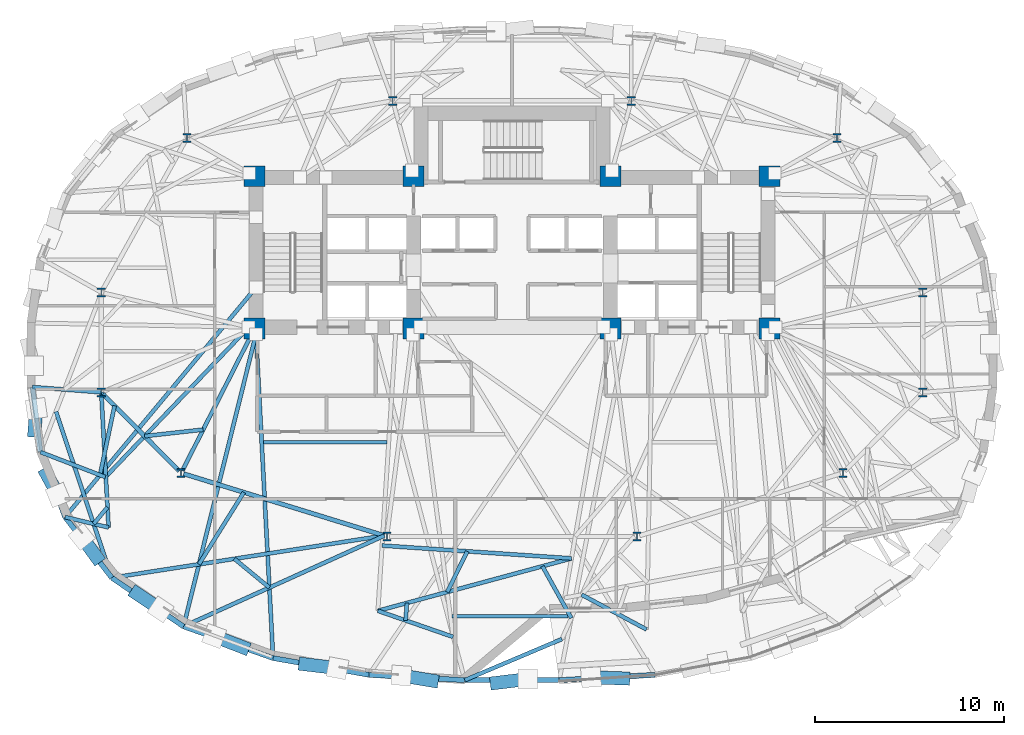
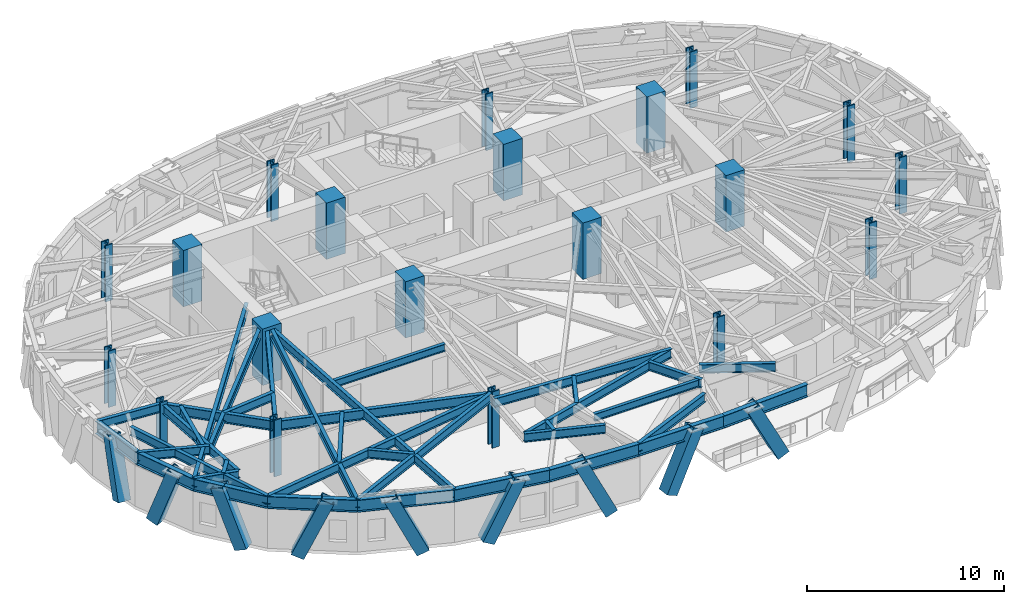
# One storey, part 1 of 14: 38 beams, 20 columns, 9 members.
"""IFC4 building model written with IfcOpenShell, lengths in metres."""

from ifc_helpers import new_model, si_unit, direction, frame, origin, origin_2d, place, context, subcontext, project, spatial, rectangle, hollow_rectangle, i_section, extrude, material, material_profile, profile_set, type_object, element, save


model = new_model("IFC4")

# Units and contexts
model_context = context("Model", 3, precision=1e-05, world=origin(), true_north=direction((0.0, 1.0)))
body_context = subcontext(model_context, "Body", "Model", "MODEL_VIEW")
ifc_project = project(units=[si_unit("LENGTHUNIT", "METRE"), si_unit("AREAUNIT", "SQUARE_METRE"), si_unit("VOLUMEUNIT", "CUBIC_METRE"), si_unit("PLANEANGLEUNIT", "RADIAN"), si_unit("MASSUNIT", "GRAM", prefix="KILO")], contexts=[model_context])

# Site, building, storey
site_placement = place(None, origin())
site = spatial("IfcSite", under=ifc_project, at=site_placement, CompositionType="ELEMENT")
building_placement = place(site_placement, origin())
building = spatial("IfcBuilding", under=site, at=building_placement, Name="Keldmark Tower", CompositionType="ELEMENT")
storey_placement = place(building_placement, frame((0.0, 0.0, 128.10009765625)))
storey = spatial("IfcBuildingStorey", under=building, at=storey_placement, Name="L34", CompositionType="ELEMENT", Elevation=128.10009765625)

# Columns
ifc_material_1 = material(Name="Concrete C70/85", Category="concrete")
ifc_material_profile_1 = material_profile(ifc_material_1, rectangle(XDim=1.10009765625, YDim=1.10009765625, at=origin_2d()), Name="RC1100X1100")
ifc_profile_set_1 = profile_set([ifc_material_profile_1], Name="Concrete C70/85")
column_type_1 = type_object("IfcColumnType", Name="Core Boundary Column RC1100", PredefinedType="COLUMN", material=ifc_profile_set_1)
for number, where, z_axis, x_axis, name in (
    (1, (-13.60009765625, 1.39990234375, 0.0), (0.0, 0.0, 1.0), (1.0, 0.0, 0.0), "L34 Core Boundary Column CC-W1"),
    (2, (-13.60009765625, 9.449951171875, 0.0), (0.0, 0.0, 1.0), (1.0, 0.0, 0.0), "L34 Core Boundary Column CC-W2"),
    (3, (-5.199951171875, 1.39990234375, 0.0), (0.0, 0.0, 1.0), (1.0, 0.0, 0.0), "L34 Core Boundary Column CC-W3"),
    (4, (-5.199951171875, 9.449951171875, 0.0), (0.0, 0.0, 1.0), (1.0, 0.0, 0.0), "L34 Core Boundary Column CC-W4"),
    (5, (5.199951171875, 1.39990234375, 0.0), (0.0, 0.0, 1.0), (1.0, 0.0, 0.0), "L34 Core Boundary Column CC-E1"),
    (6, (5.199951171875, 9.449951171875, 0.0), (0.0, 0.0, 1.0), (1.0, 0.0, 0.0), "L34 Core Boundary Column CC-E2"),
    (7, (13.60009765625, 1.39990234375, 0.0), (0.0, 0.0, 1.0), (1.0, 0.0, 0.0), "L34 Core Boundary Column CC-E3"),
    (8, (13.60009765625, 9.449951171875, 0.0), (0.0, 0.0, 1.0), (1.0, 0.0, 0.0), "L34 Core Boundary Column CC-E4"),
):
    element("IfcColumn", number, at=place(storey_placement, frame(where, z_axis=z_axis, x_axis=x_axis)), inside=storey, type_object=column_type_1, Name=name, PredefinedType="COLUMN", context=body_context, shape_type="SweptSolid", body=[
        extrude(rectangle(XDim=1.10009765625, YDim=1.10009765625, at=origin_2d()), origin(), (0.0, 0.0, 1.0), 3.5),
    ])
ifc_material_2 = material(Name="Steel ASTM A992 Grade 50", Category="steel")
ifc_material_profile_2 = material_profile(ifc_material_2, i_section(OverallWidth=0.424072265625, OverallDepth=0.47412109375, WebThickness=0.047607421875, FlangeThickness=0.0771484375, at=origin_2d()), Name="W14X426")
ifc_profile_set_2 = profile_set([ifc_material_profile_2], Name="Steel ASTM A992 Grade 50")
column_type_2 = type_object("IfcColumnType", Name="Tower Gravity Column W14X426", PredefinedType="COLUMN", material=ifc_profile_set_2)
for number, where, z_axis, x_axis, name in (
    (9, (21.697021484375, 3.309814453125, 0.0), (0.0, 0.0, 1.0), (1.0, 0.0, 0.0), "L34 Tower Gravity Column TC-E1"),
    (10, (17.1669921875, 11.478271484375, 0.0), (0.0, 0.0, 1.0), (1.0, 0.0, 0.0), "L34 Tower Gravity Column TC-E4"),
    (11, (6.298828125, 13.4326171875, 0.0), (0.0, 0.0, 1.0), (1.0, 0.0, 0.0), "L34 Tower Gravity Column TC-N2"),
    (12, (-6.298828125, 13.4326171875, 0.0), (0.0, 0.0, 1.0), (1.0, 0.0, 0.0), "L34 Tower Gravity Column TC-N1"),
    (13, (-17.1669921875, 11.478271484375, 0.0), (0.0, 0.0, 1.0), (1.0, 0.0, 0.0), "L34 Tower Gravity Column TC-W4"),
    (14, (-21.697021484375, 3.309814453125, 0.0), (0.0, 0.0, 1.0), (1.0, 0.0, 0.0), "L34 Tower Gravity Column TC-W1"),
    (15, (-21.697021484375, -1.9658203125, 0.0), (0.0, 0.0, 1.0), (1.0, 0.0, 0.0), "L34 Tower Gravity Column TC-W5"),
    (16, (-17.477294921875, -6.2294921875, 0.0), (0.0, 0.0, 1.0), (1.0, 0.0, 0.0), "L34 Tower Gravity Column TC-W2"),
    (17, (-6.61279296875, -9.579345703125, 0.0), (0.0, 0.0, 1.0), (1.0, 0.0, 0.0), "L34 Tower Gravity Column TC-W3"),
    (18, (6.61279296875, -9.579345703125, 0.0), (0.0, 0.0, 1.0), (1.0, 0.0, 0.0), "L34 Tower Gravity Column TC-E3"),
    (19, (17.477294921875, -6.2294921875, 0.0), (0.0, 0.0, 1.0), (1.0, 0.0, 0.0), "L34 Tower Gravity Column TC-E2"),
    (20, (21.697021484375, -1.9658203125, 0.0), (0.0, 0.0, 1.0), (1.0, 0.0, 0.0), "L34 Tower Gravity Column TC-E5"),
):
    element("IfcColumn", number, at=place(storey_placement, frame(where, z_axis=z_axis, x_axis=x_axis)), inside=storey, type_object=column_type_2, Name=name, PredefinedType="COLUMN", context=body_context, shape_type="SweptSolid", body=[
        extrude(i_section(OverallWidth=0.424072265625, OverallDepth=0.47412109375, WebThickness=0.047607421875, FlangeThickness=0.0771484375, at=origin_2d()), origin(), (0.0, 0.0, 1.0), 3.5),
    ])

# Beams
ifc_material_3 = material(Name="Steel ASTM A992 Grade 50", Category="steel")
ifc_material_profile_3 = material_profile(ifc_material_3, i_section(OverallWidth=0.19091796875, OverallDepth=0.45703125, WebThickness=0.009033203125, FlangeThickness=0.014404296875, at=origin_2d()), Name="W18X50")
ifc_profile_set_3 = profile_set([ifc_material_profile_3], Name="Steel ASTM A992 Grade 50")
beam_type_1 = type_object("IfcBeamType", Name="Composite Floor Joist W18X50", PredefinedType="JOIST", material=ifc_profile_set_3)
beam_1_placement = place(storey_placement, frame((-3.15869140625, -13.800048828125, 3.081298828125), z_axis=(1.0, 0.0, 0.0), x_axis=(0.0, 1.0, 0.0)))
element("IfcBeam", 21, at=beam_1_placement, inside=storey, type_object=beam_type_1, Name="L34 Composite Floor Joist J01", PredefinedType="JOIST", context=body_context, shape_type="SweptSolid", body=[
    extrude(i_section(OverallWidth=0.19091796875, OverallDepth=0.45703125, WebThickness=0.009033203125, FlangeThickness=0.014404296875, at=origin_2d()), origin(), (0.0, 0.0, 1.0), 6.128662109375),
])
beam_2_placement = place(storey_placement, frame((-13.127197265625, -4.60009765625, 3.081298828125), z_axis=(1.0, 0.0, 0.0), x_axis=(0.0, 1.0, 0.0)))
element("IfcBeam", 22, at=beam_2_placement, inside=storey, type_object=beam_type_1, Name="L34 Composite Floor Joist J04", PredefinedType="JOIST", context=body_context, shape_type="SweptSolid", body=[
    extrude(i_section(OverallWidth=0.19091796875, OverallDepth=0.45703125, WebThickness=0.009033203125, FlangeThickness=0.014404296875, at=origin_2d()), origin(), (0.0, 0.0, 1.0), 6.51904296875),
])

# Members
ifc_material_4 = material(Name="Steel ASTM A572 Grade 50", Category="steel")
ifc_material_profile_4 = material_profile(ifc_material_4, hollow_rectangle(XDim=0.699951171875, YDim=0.699951171875, WallThickness=0.044921875, at=origin_2d()), Name="BOX700X700X45")
ifc_profile_set_4 = profile_set([ifc_material_profile_4], Name="Steel ASTM A572 Grade 50")
member_type = type_object("IfcMemberType", Name="Diagrid Zone 2 Brace BOX700X700X45", PredefinedType="BRACE", material=ifc_profile_set_4)
member_1_placement = place(storey_placement, frame((-25.22314453125, -4.007568359375, -0.27001953125), z_axis=(0.025774881276, 0.322186015947, 0.946325433782), x_axis=(-0.996815278536, 0.079745222283, 0.0)))
element("IfcMember", 23, at=member_1_placement, inside=storey, type_object=member_type, Name="L34 Perimeter Diagrid Brace 09A", PredefinedType="BRACE", context=body_context, shape_type="SweptSolid", body=[
    extrude(hollow_rectangle(XDim=0.699951171875, YDim=0.699951171875, WallThickness=0.044921875, at=origin_2d()), origin(), (0.0, 0.0, 1.0), 3.65625),
])
member_2_placement = place(storey_placement, frame((-24.581298828125, -6.2880859375, -0.27001953125), z_axis=(0.161957146853, -0.300569119384, 0.939908552496), x_axis=(0.880333841681, 0.474354642848, 0.0)))
element("IfcMember", 24, at=member_2_placement, inside=storey, type_object=member_type, Name="L34 Perimeter Diagrid Brace 09B", PredefinedType="BRACE", context=body_context, shape_type="SweptSolid", body=[
    extrude(hollow_rectangle(XDim=0.699951171875, YDim=0.699951171875, WallThickness=0.044921875, at=origin_2d()), origin(), (0.0, 0.0, 1.0), 3.68115234375),
])
member_3_placement = place(storey_placement, frame((-21.943359375, -10.6787109375, -0.27001953125), z_axis=(-0.212939819898, 0.291509085954, 0.932565861432), x_axis=(-0.80750465938, -0.589861191366, 0.0)))
element("IfcMember", 25, at=member_3_placement, inside=storey, type_object=member_type, Name="L34 Perimeter Diagrid Brace 10A", PredefinedType="BRACE", context=body_context, shape_type="SweptSolid", body=[
    extrude(hollow_rectangle(XDim=0.699951171875, YDim=0.699951171875, WallThickness=0.044921875, at=origin_2d()), origin(), (0.0, 0.0, 1.0), 3.710205078125),
])
member_4_placement = place(storey_placement, frame((-19.8369140625, -12.5859375, -0.27001953125), z_axis=(0.335578451771, -0.225676508816, 0.91458034971), x_axis=(0.55804685071, 0.829809443434, 0.0)))
element("IfcMember", 26, at=member_4_placement, inside=storey, type_object=member_type, Name="L34 Perimeter Diagrid Brace 10B", PredefinedType="BRACE", context=body_context, shape_type="SweptSolid", body=[
    extrude(hollow_rectangle(XDim=0.699951171875, YDim=0.699951171875, WallThickness=0.044921875, at=origin_2d()), origin(), (0.0, 0.0, 1.0), 3.783203125),
])
member_5_placement = place(storey_placement, frame((-14.190185546875, -15.443115234375, -0.27001953125), z_axis=(-0.402741306948, 0.15573767037, 0.901967414991), x_axis=(-0.360667417786, -0.93269449111, 0.0)))
element("IfcMember", 27, at=member_5_placement, inside=storey, type_object=member_type, Name="L34 Perimeter Diagrid Brace 11A", PredefinedType="BRACE", context=body_context, shape_type="SweptSolid", body=[
    extrude(hollow_rectangle(XDim=0.699951171875, YDim=0.699951171875, WallThickness=0.044921875, at=origin_2d()), origin(), (0.0, 0.0, 1.0), 3.8359375),
])
member_6_placement = place(storey_placement, frame((-10.9541015625, -16.332275390625, -0.27001953125), z_axis=(0.448318018377, -0.054206124677, 0.892229034747), x_axis=(0.120035753301, 0.992769569401, 0.0)))
element("IfcMember", 28, at=member_6_placement, inside=storey, type_object=member_type, Name="L34 Perimeter Diagrid Brace 11B", PredefinedType="BRACE", context=body_context, shape_type="SweptSolid", body=[
    extrude(hollow_rectangle(XDim=0.699951171875, YDim=0.699951171875, WallThickness=0.044921875, at=origin_2d()), origin(), (0.0, 0.0, 1.0), 3.8779296875),
])
member_7_placement = place(storey_placement, frame((-4.204345703125, -17.201171875, -0.27001953125), z_axis=(-0.428752099282, 0.07149045675, 0.900589113833), x_axis=(-0.164470109087, -0.986382067567, 0.0)))
element("IfcMember", 29, at=member_7_placement, inside=storey, type_object=member_type, Name="L34 Perimeter Diagrid Brace 12A", PredefinedType="BRACE", context=body_context, shape_type="SweptSolid", body=[
    extrude(hollow_rectangle(XDim=0.699951171875, YDim=0.699951171875, WallThickness=0.044921875, at=origin_2d()), origin(), (0.0, 0.0, 1.0), 3.841796875),
])
member_8_placement = place(storey_placement, frame((-0.83544921875, -17.3154296875, -0.27001953125), z_axis=(0.434682488412, 0.05246386718, 0.899054323669), x_axis=(-0.11982508471, 0.992795018659, 0.0)))
element("IfcMember", 30, at=member_8_placement, inside=storey, type_object=member_type, Name="L34 Perimeter Diagrid Brace 12B", PredefinedType="BRACE", context=body_context, shape_type="SweptSolid", body=[
    extrude(hollow_rectangle(XDim=0.699951171875, YDim=0.699951171875, WallThickness=0.044921875, at=origin_2d()), origin(), (0.0, 0.0, 1.0), 3.848388671875),
])
member_9_placement = place(storey_placement, frame((5.91357421875, -17.082275390625, -0.27001953125), z_axis=(-0.448766776321, 0.016392155359, 0.893498560554), x_axis=(-0.036502770928, -0.999333551781, 0.0)))
element("IfcMember", 31, at=member_9_placement, inside=storey, type_object=member_type, Name="L34 Perimeter Diagrid Brace 13A", PredefinedType="BRACE", context=body_context, shape_type="SweptSolid", body=[
    extrude(hollow_rectangle(XDim=0.699951171875, YDim=0.699951171875, WallThickness=0.044921875, at=origin_2d()), origin(), (0.0, 0.0, 1.0), 3.872314453125),
])

# Beams
ifc_material_5 = material(Name="Steel ASTM A992 Grade 50", Category="steel")
ifc_material_profile_5 = material_profile(ifc_material_5, i_section(OverallWidth=0.22900390625, OverallDepth=0.612060546875, WebThickness=0.011962890625, FlangeThickness=0.01953125, at=origin_2d()), Name="W24X84")
ifc_profile_set_5 = profile_set([ifc_material_profile_5], Name="Steel ASTM A992 Grade 50")
beam_type_2 = type_object("IfcBeamType", Name="Primary Floor Girder W24X84", PredefinedType="BEAM", material=ifc_profile_set_5)
beam_3_placement = place(storey_placement, frame((-21.598388671875, -2.0654296875, 3.00390625), z_axis=(0.703425791323, -0.71076870788, 0.0), x_axis=(0.71076870788, 0.703425791323, 0.0)))
element("IfcBeam", 32, at=beam_3_placement, inside=storey, type_object=beam_type_2, Name="L34 Floor Ring Girder FG-R07", PredefinedType="BEAM", context=body_context, shape_type="SweptSolid", body=[
    extrude(i_section(OverallWidth=0.22900390625, OverallDepth=0.612060546875, WebThickness=0.011962890625, FlangeThickness=0.01953125, at=origin_2d()), origin(), (0.0, 0.0, 1.0), 5.71875),
])
beam_4_placement = place(storey_placement, frame((-17.343505859375, -6.270751953125, 3.00390625), z_axis=(0.955607954968, -0.294641199432, 0.0), x_axis=(0.294641199432, 0.955607954968, 0.0)))
element("IfcBeam", 33, at=beam_4_placement, inside=storey, type_object=beam_type_2, Name="L34 Floor Ring Girder FG-R08", PredefinedType="BEAM", context=body_context, shape_type="SweptSolid", body=[
    extrude(i_section(OverallWidth=0.22900390625, OverallDepth=0.612060546875, WebThickness=0.011962890625, FlangeThickness=0.01953125, at=origin_2d()), origin(), (0.0, 0.0, 1.0), 11.089111328125),
])
ifc_material_6 = material(Name="Steel ASTM A992 Grade 50", Category="steel")
ifc_material_profile_6 = material_profile(ifc_material_6, i_section(OverallWidth=0.2099609375, OverallDepth=0.537109375, WebThickness=0.010986328125, FlangeThickness=0.017333984375, at=origin_2d()), Name="W21X68")
ifc_profile_set_6 = profile_set([ifc_material_profile_6], Name="Steel ASTM A992 Grade 50")
beam_type_3 = type_object("IfcBeamType", Name="Radial Tie Girder W21X68", PredefinedType="BEAM", material=ifc_profile_set_6)
beam_5_placement = place(storey_placement, frame((-17.413818359375, -6.104736328125, 3.04150390625), z_axis=(0.453028637759, 0.891495963743, 0.0), x_axis=(-0.891495963743, 0.453028637759, 0.0)))
element("IfcBeam", 34, at=beam_5_placement, inside=storey, type_object=beam_type_3, Name="L34 Floor Radial Girder FG-C08", PredefinedType="BEAM", context=body_context, shape_type="SweptSolid", body=[
    extrude(i_section(OverallWidth=0.2099609375, OverallDepth=0.537109375, WebThickness=0.010986328125, FlangeThickness=0.017333984375, at=origin_2d()), origin(), (0.0, 0.0, 1.0), 8.09814453125),
])
beam_6_placement = place(storey_placement, frame((-21.697021484375, -1.9658203125, 3.04150390625), z_axis=(-0.99715652096, 0.07535829554, 0.0), x_axis=(-0.07535829554, -0.99715652096, 0.0)))
element("IfcBeam", 35, at=beam_6_placement, inside=storey, type_object=beam_type_3, Name="L34 Perimeter Column Bracket RT-17", PredefinedType="BEAM", context=body_context, shape_type="SweptSolid", body=[
    extrude(i_section(OverallWidth=0.2099609375, OverallDepth=0.537109375, WebThickness=0.010986328125, FlangeThickness=0.017333984375, at=origin_2d()), origin(), (0.0, 0.0, 1.0), 3.641357421875),
])
beam_7_placement = place(storey_placement, frame((-16.313232421875, -3.93896484375, 3.04150390625), z_axis=(-0.993939110068, -0.109932003884, 0.0), x_axis=(0.109932003884, -0.993939110068, 0.0)))
element("IfcBeam", 36, at=beam_7_placement, inside=storey, type_object=beam_type_3, Name="L34 Framing Pin Header PH-022", PredefinedType="BEAM", context=body_context, shape_type="SweptSolid", body=[
    extrude(i_section(OverallWidth=0.2099609375, OverallDepth=0.537109375, WebThickness=0.010986328125, FlangeThickness=0.017333984375, at=origin_2d()), origin(), (0.0, 0.0, 1.0), 3.111328125),
])
beam_8_placement = place(storey_placement, frame((-13.89990234375, 1.47509765625, 3.04150390625), z_axis=(-0.691233768742, -0.722631217808, 0.0), x_axis=(0.722631217808, -0.691233768742, 0.0)))
element("IfcBeam", 37, at=beam_8_placement, inside=storey, type_object=beam_type_3, Name="L34 Intermediate Radial Step Girder RT-19M", PredefinedType="BEAM", context=body_context, shape_type="SweptSolid", body=[
    extrude(i_section(OverallWidth=0.2099609375, OverallDepth=0.537109375, WebThickness=0.010986328125, FlangeThickness=0.017333984375, at=origin_2d()), origin(), (0.0, 0.0, 1.0), 10.9638671875),
])
beam_9_placement = place(storey_placement, frame((-24.9091796875, -5.123291015625, 3.04150390625), z_axis=(0.932891434938, -0.360157702429, 0.0), x_axis=(0.360157702429, 0.932891434938, 0.0)))
element("IfcBeam", 38, at=beam_9_placement, inside=storey, type_object=beam_type_3, Name="L34 Local Collector Chord RT-19C", PredefinedType="BEAM", context=body_context, shape_type="SweptSolid", body=[
    extrude(i_section(OverallWidth=0.2099609375, OverallDepth=0.537109375, WebThickness=0.010986328125, FlangeThickness=0.017333984375, at=origin_2d()), origin(), (0.0, 0.0, 1.0), 3.677490234375),
])
beam_10_placement = place(storey_placement, frame((-20.9951171875, -2.675048828125, 3.04150390625), z_axis=(-0.205504112657, -0.978656252052, 0.0), x_axis=(0.978656252052, -0.205504112657, 0.0)))
element("IfcBeam", 39, at=beam_10_placement, inside=storey, type_object=beam_type_3, Name="L34 Framing Pin Header PH-023", PredefinedType="BEAM", context=body_context, shape_type="SweptSolid", body=[
    extrude(i_section(OverallWidth=0.2099609375, OverallDepth=0.537109375, WebThickness=0.010986328125, FlangeThickness=0.017333984375, at=origin_2d()), origin(), (0.0, 0.0, 1.0), 3.7421875),
])
beam_11_placement = place(storey_placement, frame((-13.52490234375, 3.5712890625, 3.04150390625), z_axis=(-0.639352715882, -0.768913587273, 0.0), x_axis=(0.768913587273, -0.639352715882, 0.0)))
element("IfcBeam", 40, at=beam_11_placement, inside=storey, type_object=beam_type_3, Name="L34 Perimeter Radial Tie Girder RT-19", PredefinedType="BEAM", context=body_context, shape_type="SweptSolid", body=[
    extrude(i_section(OverallWidth=0.2099609375, OverallDepth=0.537109375, WebThickness=0.010986328125, FlangeThickness=0.017333984375, at=origin_2d()), origin(), (0.0, 0.0, 1.0), 15.772216796875),
])
beam_12_placement = place(storey_placement, frame((-21.697021484375, -1.9658203125, 3.04150390625), z_axis=(0.054150072975, -0.998532808473, 0.0), x_axis=(0.998532808473, 0.054150072975, 0.0)))
element("IfcBeam", 41, at=beam_12_placement, inside=storey, type_object=beam_type_3, Name="L34 Intermediate Radial Step Girder RT-20M", PredefinedType="BEAM", context=body_context, shape_type="SweptSolid", body=[
    extrude(i_section(OverallWidth=0.2099609375, OverallDepth=0.537109375, WebThickness=0.010986328125, FlangeThickness=0.017333984375, at=origin_2d()), origin(), (0.0, 0.0, 1.0), 7.150634765625),
])
beam_13_placement = place(storey_placement, frame((-23.60888671875, -8.55615234375, 3.04150390625), z_axis=(0.972576352333, -0.232583831948, 0.0), x_axis=(0.232583831948, 0.972576352333, 0.0)))
element("IfcBeam", 42, at=beam_13_placement, inside=storey, type_object=beam_type_3, Name="L34 Local Collector Chord RT-20C", PredefinedType="BEAM", context=body_context, shape_type="SweptSolid", body=[
    extrude(i_section(OverallWidth=0.2099609375, OverallDepth=0.537109375, WebThickness=0.010986328125, FlangeThickness=0.017333984375, at=origin_2d()), origin(), (0.0, 0.0, 1.0), 2.364013671875),
])
beam_14_placement = place(storey_placement, frame((-21.367919921875, -8.034912109375, 3.04150390625), z_axis=(-0.636738157094, -0.771080099147, 0.0), x_axis=(0.771080099147, -0.636738157094, 0.0)))
element("IfcBeam", 43, at=beam_14_placement, inside=storey, type_object=beam_type_3, Name="L34 Framing Pin Header PH-024", PredefinedType="BEAM", context=body_context, shape_type="SweptSolid", body=[
    extrude(i_section(OverallWidth=0.2099609375, OverallDepth=0.537109375, WebThickness=0.010986328125, FlangeThickness=0.017333984375, at=origin_2d()), origin(), (0.0, 0.0, 1.0), 1.14501953125),
])
beam_15_placement = place(storey_placement, frame((-24.089111328125, -2.984375, 3.04150390625), z_axis=(0.318291138438, -0.947993012206, 0.0), x_axis=(0.947993012206, 0.318291138438, 0.0)))
element("IfcBeam", 44, at=beam_15_placement, inside=storey, type_object=beam_type_3, Name="L34 Perimeter Radial Tie Girder RT-20", PredefinedType="BEAM", context=body_context, shape_type="SweptSolid", body=[
    extrude(i_section(OverallWidth=0.2099609375, OverallDepth=0.537109375, WebThickness=0.010986328125, FlangeThickness=0.017333984375, at=origin_2d()), origin(), (0.0, 0.0, 1.0), 9.26123046875),
])
beam_16_placement = place(storey_placement, frame((3.1416015625, -10.739990234375, 3.04150390625), z_axis=(-0.997713376705, 0.067587113735, 0.0), x_axis=(-0.067587113735, -0.997713376705, 0.0)))
element("IfcBeam", 45, at=beam_16_placement, inside=storey, type_object=beam_type_3, Name="L34 Framing Pin Header PH-025", PredefinedType="BEAM", context=body_context, shape_type="SweptSolid", body=[
    extrude(i_section(OverallWidth=0.2099609375, OverallDepth=0.537109375, WebThickness=0.010986328125, FlangeThickness=0.017333984375, at=origin_2d()), origin(), (0.0, 0.0, 1.0), 10.027587890625),
])
beam_17_placement = place(storey_placement, frame((3.1416015625, -10.739990234375, 3.04150390625), z_axis=(-0.965232913101, -0.261391322478, 0.0), x_axis=(0.261391322478, -0.965232913101, 0.0)))
element("IfcBeam", 46, at=beam_17_placement, inside=storey, type_object=beam_type_3, Name="L34 Local Collector Chord RT-23C", PredefinedType="BEAM", context=body_context, shape_type="SweptSolid", body=[
    extrude(i_section(OverallWidth=0.2099609375, OverallDepth=0.537109375, WebThickness=0.010986328125, FlangeThickness=0.017333984375, at=origin_2d()), origin(), (0.0, 0.0, 1.0), 10.594482421875),
])
beam_18_placement = place(storey_placement, frame((-2.36083984375, -10.3671875, 3.04150390625), z_axis=(-0.442810622602, -0.896615164109, 0.0), x_axis=(0.896615164109, -0.442810622602, 0.0)))
element("IfcBeam", 47, at=beam_18_placement, inside=storey, type_object=beam_type_3, Name="L34 Framing Pin Header PH-026", PredefinedType="BEAM", context=body_context, shape_type="SweptSolid", body=[
    extrude(i_section(OverallWidth=0.2099609375, OverallDepth=0.537109375, WebThickness=0.010986328125, FlangeThickness=0.017333984375, at=origin_2d()), origin(), (0.0, 0.0, 1.0), 2.3984375),
])
beam_19_placement = place(storey_placement, frame((-7.08447265625, -13.50927734375, 3.04150390625), z_axis=(0.944719899268, -0.327878501775, 0.0), x_axis=(0.327878501775, 0.944719899268, 0.0)))
element("IfcBeam", 48, at=beam_19_placement, inside=storey, type_object=beam_type_3, Name="L34 Local Collector Chord RT-24C", PredefinedType="BEAM", context=body_context, shape_type="SweptSolid", body=[
    extrude(i_section(OverallWidth=0.2099609375, OverallDepth=0.537109375, WebThickness=0.010986328125, FlangeThickness=0.017333984375, at=origin_2d()), origin(), (0.0, 0.0, 1.0), 4.203369140625),
])
beam_20_placement = place(storey_placement, frame((-2.49462890625, -17.173095703125, 3.04150390625), z_axis=(0.92090797719, 0.389780063045, 0.0), x_axis=(-0.389780063045, 0.92090797719, 0.0)))
element("IfcBeam", 49, at=beam_20_placement, inside=storey, type_object=beam_type_3, Name="L34 Local Collector Chord RT-25C", PredefinedType="BEAM", context=body_context, shape_type="SweptSolid", body=[
    extrude(i_section(OverallWidth=0.2099609375, OverallDepth=0.537109375, WebThickness=0.010986328125, FlangeThickness=0.017333984375, at=origin_2d()), origin(), (0.0, 0.0, 1.0), 5.572021484375),
])
beam_21_placement = place(storey_placement, frame((1.60791015625, -11.1552734375, 3.04150390625), z_axis=(0.486502566016, -0.873679147777, 0.0), x_axis=(0.873679147777, 0.486502566016, 0.0)))
element("IfcBeam", 50, at=beam_21_placement, inside=storey, type_object=beam_type_3, Name="L34 Framing Pin Header PH-028", PredefinedType="BEAM", context=body_context, shape_type="SweptSolid", body=[
    extrude(i_section(OverallWidth=0.2099609375, OverallDepth=0.537109375, WebThickness=0.010986328125, FlangeThickness=0.017333984375, at=origin_2d()), origin(), (0.0, 0.0, 1.0), 3.134033203125),
])
beam_22_placement = place(storey_placement, frame((3.6845703125, -12.659912109375, 3.04150390625), z_axis=(0.881266884833, -0.472618956134, 0.0), x_axis=(0.472618956134, 0.881266884833, 0.0)))
element("IfcBeam", 51, at=beam_22_placement, inside=storey, type_object=beam_type_3, Name="L34 Local Collector Chord RT-26C", PredefinedType="BEAM", context=body_context, shape_type="SweptSolid", body=[
    extrude(i_section(OverallWidth=0.2099609375, OverallDepth=0.537109375, WebThickness=0.010986328125, FlangeThickness=0.017333984375, at=origin_2d()), origin(), (0.0, 0.0, 1.0), 3.885009765625),
])
beam_23_placement = place(storey_placement, frame((-21.141357421875, -11.763916015625, 3.04150390625), z_axis=(0.988255341028, 0.152811586373, 0.0), x_axis=(-0.152811586373, 0.988255341028, 0.0)))
element("IfcBeam", 52, at=beam_23_placement, inside=storey, type_object=beam_type_3, Name="L34 Straddling Support Chord RT-21RB", PredefinedType="BEAM", context=body_context, shape_type="SweptSolid", body=[
    extrude(i_section(OverallWidth=0.2099609375, OverallDepth=0.537109375, WebThickness=0.010986328125, FlangeThickness=0.017333984375, at=origin_2d()), origin(), (0.0, 0.0, 1.0), 14.56591796875),
])
beam_24_placement = place(storey_placement, frame((-14.164306640625, -7.2509765625, 3.04150390625), z_axis=(-0.529464969901, -0.848331801625, 0.0), x_axis=(0.848331801625, -0.529464969901, 0.0)))
element("IfcBeam", 53, at=beam_24_placement, inside=storey, type_object=beam_type_3, Name="L34 Framing Pin Header PH-037", PredefinedType="BEAM", context=body_context, shape_type="SweptSolid", body=[
    extrude(i_section(OverallWidth=0.2099609375, OverallDepth=0.537109375, WebThickness=0.010986328125, FlangeThickness=0.017333984375, at=origin_2d()), origin(), (0.0, 0.0, 1.0), 4.48046875),
])
beam_25_placement = place(storey_placement, frame((-13.52490234375, 1.10009765625, 3.04150390625), z_axis=(-0.240555447971, -0.97063539831, 0.0), x_axis=(0.97063539831, -0.240555447971, 0.0)))
element("IfcBeam", 54, at=beam_25_placement, inside=storey, type_object=beam_type_3, Name="L34 Perimeter Radial Tie Girder RT-21R", PredefinedType="BEAM", context=body_context, shape_type="SweptSolid", body=[
    extrude(i_section(OverallWidth=0.2099609375, OverallDepth=0.537109375, WebThickness=0.010986328125, FlangeThickness=0.017333984375, at=origin_2d()), origin(), (0.0, 0.0, 1.0), 15.901611328125),
])
beam_26_placement = place(storey_placement, frame((-17.35009765625, -14.33447265625, 3.04150390625), z_axis=(0.91112217755, 0.412136357988, 0.0), x_axis=(-0.412136357988, 0.91112217755, 0.0)))
element("IfcBeam", 55, at=beam_26_placement, inside=storey, type_object=beam_type_3, Name="L34 Straddling Support Chord RT-22RB", PredefinedType="BEAM", context=body_context, shape_type="SweptSolid", body=[
    extrude(i_section(OverallWidth=0.2099609375, OverallDepth=0.537109375, WebThickness=0.010986328125, FlangeThickness=0.017333984375, at=origin_2d()), origin(), (0.0, 0.0, 1.0), 11.637939453125),
])
beam_27_placement = place(storey_placement, frame((-14.663818359375, -10.76220703125, 3.04150390625), z_axis=(0.771912567541, -0.635728706346, 0.0), x_axis=(0.635728706346, 0.771912567541, 0.0)))
element("IfcBeam", 56, at=beam_27_placement, inside=storey, type_object=beam_type_3, Name="L34 Framing Pin Header PH-038", PredefinedType="BEAM", context=body_context, shape_type="SweptSolid", body=[
    extrude(i_section(OverallWidth=0.2099609375, OverallDepth=0.537109375, WebThickness=0.010986328125, FlangeThickness=0.017333984375, at=origin_2d()), origin(), (0.0, 0.0, 1.0), 2.393310546875),
])
beam_28_placement = place(storey_placement, frame((-13.52490234375, 1.10009765625, 3.04150390625), z_axis=(0.052870735697, -0.998601364563, 0.0), x_axis=(0.998601364563, 0.052870735697, 0.0)))
element("IfcBeam", 57, at=beam_28_placement, inside=storey, type_object=beam_type_3, Name="L34 Perimeter Radial Tie Girder RT-22R", PredefinedType="BEAM", context=body_context, shape_type="SweptSolid", body=[
    extrude(i_section(OverallWidth=0.2099609375, OverallDepth=0.537109375, WebThickness=0.010986328125, FlangeThickness=0.017333984375, at=origin_2d()), origin(), (0.0, 0.0, 1.0), 17.131591796875),
])
beam_29_placement = place(storey_placement, frame((-5.550537109375, -13.09375, 3.04150390625), z_axis=(-0.075104404757, -0.997175675789, 0.0), x_axis=(0.997175675789, -0.075104404757, 0.0)))
element("IfcBeam", 58, at=beam_29_placement, inside=storey, type_object=beam_type_3, Name="L34 Framing Pin Header PH-039", PredefinedType="BEAM", context=body_context, shape_type="SweptSolid", body=[
    extrude(i_section(OverallWidth=0.2099609375, OverallDepth=0.537109375, WebThickness=0.010986328125, FlangeThickness=0.017333984375, at=origin_2d()), origin(), (0.0, 0.0, 1.0), 0.926513671875),
])
ifc_material_7 = material(Name="Steel ASTM A992 Grade 50", Category="steel")
ifc_material_profile_7 = material_profile(ifc_material_7, i_section(OverallWidth=0.26806640625, OverallDepth=0.77001953125, WebThickness=0.015625, FlangeThickness=0.025390625, at=origin_2d()), Name="W30X132")
ifc_profile_set_7 = profile_set([ifc_material_profile_7], Name="Steel ASTM A992 Grade 50")
beam_type_4 = type_object("IfcBeamType", Name="Spandrel Ring Beam W30X132", PredefinedType="SPANDREL", material=ifc_profile_set_7)
beam_30_placement = place(storey_placement, frame((-25.328125, -1.69140625, 2.9248046875), z_axis=(0.121174866484, -0.992631176083, 0.0), x_axis=(0.992631176083, 0.121174866484, 0.0)))
element("IfcBeam", 59, at=beam_30_placement, inside=storey, type_object=beam_type_4, Name="L34 Perimeter Spandrel Ring Beam SRB-17", PredefinedType="SPANDREL", context=body_context, shape_type="SweptSolid", body=[
    extrude(i_section(OverallWidth=0.26806640625, OverallDepth=0.77001953125, WebThickness=0.015625, FlangeThickness=0.025390625, at=origin_2d()), origin(), (0.0, 0.0, 1.0), 3.457275390625),
])
beam_31_placement = place(storey_placement, frame((-24.9091796875, -5.123291015625, 2.9248046875), z_axis=(0.354219131363, -0.935162449511, 0.0), x_axis=(0.935162449511, 0.354219131363, 0.0)))
element("IfcBeam", 60, at=beam_31_placement, inside=storey, type_object=beam_type_4, Name="L34 Perimeter Spandrel Ring Beam SRB-18", PredefinedType="SPANDREL", context=body_context, shape_type="SweptSolid", body=[
    extrude(i_section(OverallWidth=0.26806640625, OverallDepth=0.77001953125, WebThickness=0.015625, FlangeThickness=0.025390625, at=origin_2d()), origin(), (0.0, 0.0, 1.0), 3.6708984375),
])
beam_32_placement = place(storey_placement, frame((-23.60888671875, -8.55615234375, 2.9248046875), z_axis=(0.609713676223, -0.792621746501, 0.0), x_axis=(0.792621746501, 0.609713676223, 0.0)))
element("IfcBeam", 61, at=beam_32_placement, inside=storey, type_object=beam_type_4, Name="L34 Perimeter Spandrel Ring Beam SRB-19", PredefinedType="SPANDREL", context=body_context, shape_type="SweptSolid", body=[
    extrude(i_section(OverallWidth=0.26806640625, OverallDepth=0.77001953125, WebThickness=0.015625, FlangeThickness=0.025390625, at=origin_2d()), origin(), (0.0, 0.0, 1.0), 4.047119140625),
])
beam_33_placement = place(storey_placement, frame((-21.141357421875, -11.763916015625, 2.9248046875), z_axis=(0.827687098101, -0.561189867725, 0.0), x_axis=(0.561189867725, 0.827687098101, 0.0)))
element("IfcBeam", 62, at=beam_33_placement, inside=storey, type_object=beam_type_4, Name="L34 Perimeter Spandrel Ring Beam SRB-20", PredefinedType="SPANDREL", context=body_context, shape_type="SweptSolid", body=[
    extrude(i_section(OverallWidth=0.26806640625, OverallDepth=0.77001953125, WebThickness=0.015625, FlangeThickness=0.025390625, at=origin_2d()), origin(), (0.0, 0.0, 1.0), 4.58056640625),
])
beam_34_placement = place(storey_placement, frame((-17.35009765625, -14.33447265625, 2.9248046875), z_axis=(0.942780868171, -0.333413009061, 0.0), x_axis=(0.333413009061, 0.942780868171, 0.0)))
element("IfcBeam", 63, at=beam_34_placement, inside=storey, type_object=beam_type_4, Name="L34 Perimeter Spandrel Ring Beam SRB-21", PredefinedType="SPANDREL", context=body_context, shape_type="SweptSolid", body=[
    extrude(i_section(OverallWidth=0.26806640625, OverallDepth=0.77001953125, WebThickness=0.015625, FlangeThickness=0.025390625, at=origin_2d()), origin(), (0.0, 0.0, 1.0), 5.01806640625),
])
beam_35_placement = place(storey_placement, frame((-12.619140625, -16.007568359375, 2.9248046875), z_axis=(0.985176518658, -0.171543659411, 0.0), x_axis=(0.171543659411, 0.985176518658, 0.0)))
element("IfcBeam", 64, at=beam_35_placement, inside=storey, type_object=beam_type_4, Name="L34 Perimeter Spandrel Ring Beam SRB-22", PredefinedType="SPANDREL", context=body_context, shape_type="SweptSolid", body=[
    extrude(i_section(OverallWidth=0.26806640625, OverallDepth=0.77001953125, WebThickness=0.015625, FlangeThickness=0.025390625, at=origin_2d()), origin(), (0.0, 0.0, 1.0), 5.13916015625),
])
beam_36_placement = place(storey_placement, frame((-7.55615234375, -16.88916015625, 2.9248046875), z_axis=(0.998430275228, -0.05600879848, 0.0), x_axis=(0.05600879848, 0.998430275228, 0.0)))
element("IfcBeam", 65, at=beam_36_placement, inside=storey, type_object=beam_type_4, Name="L34 Perimeter Spandrel Ring Beam SRB-23", PredefinedType="SPANDREL", context=body_context, shape_type="SweptSolid", body=[
    extrude(i_section(OverallWidth=0.26806640625, OverallDepth=0.77001953125, WebThickness=0.015625, FlangeThickness=0.025390625, at=origin_2d()), origin(), (0.0, 0.0, 1.0), 5.069580078125),
])
beam_37_placement = place(storey_placement, frame((-2.49462890625, -17.173095703125, 2.9248046875), z_axis=(1.0, 0.0, 0.0), x_axis=(0.0, 1.0, 0.0)))
element("IfcBeam", 66, at=beam_37_placement, inside=storey, type_object=beam_type_4, Name="L34 Perimeter Spandrel Ring Beam SRB-24", PredefinedType="SPANDREL", context=body_context, shape_type="SweptSolid", body=[
    extrude(i_section(OverallWidth=0.26806640625, OverallDepth=0.77001953125, WebThickness=0.015625, FlangeThickness=0.025390625, at=origin_2d()), origin(), (0.0, 0.0, 1.0), 4.9892578125),
])
beam_38_placement = place(storey_placement, frame((2.49462890625, -17.173095703125, 2.9248046875), z_axis=(0.998430275228, 0.05600879848, 0.0), x_axis=(-0.05600879848, 0.998430275228, 0.0)))
element("IfcBeam", 67, at=beam_38_placement, inside=storey, type_object=beam_type_4, Name="L34 Perimeter Spandrel Ring Beam SRB-25", PredefinedType="SPANDREL", context=body_context, shape_type="SweptSolid", body=[
    extrude(i_section(OverallWidth=0.26806640625, OverallDepth=0.77001953125, WebThickness=0.015625, FlangeThickness=0.025390625, at=origin_2d()), origin(), (0.0, 0.0, 1.0), 5.069580078125),
])

save(model, "model.ifc")
